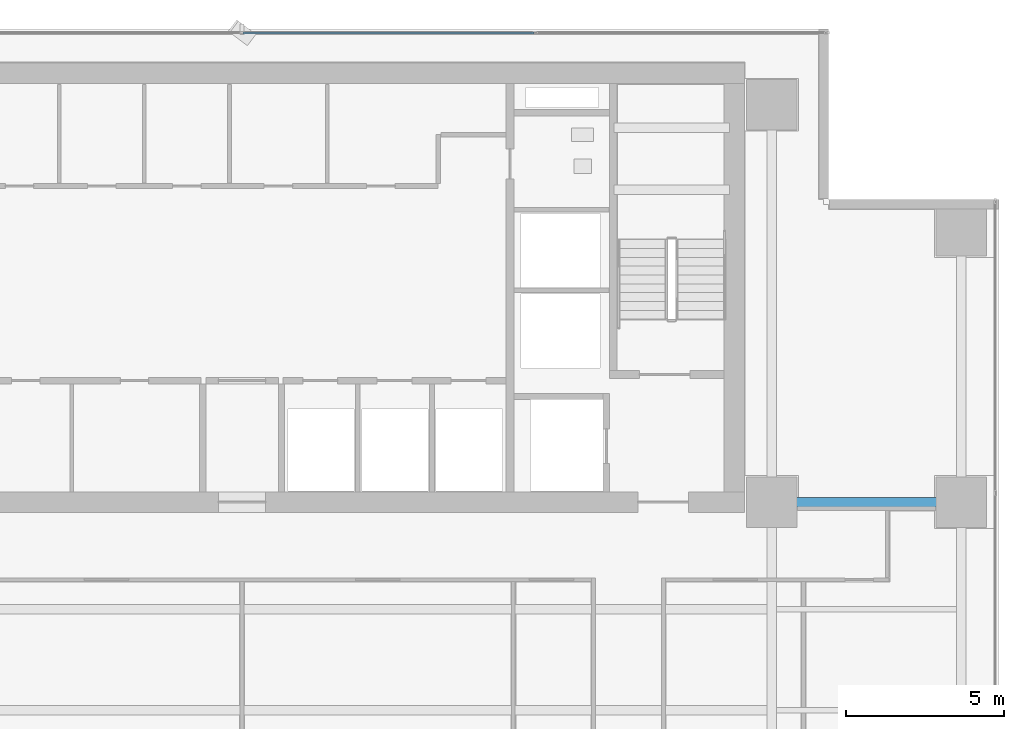
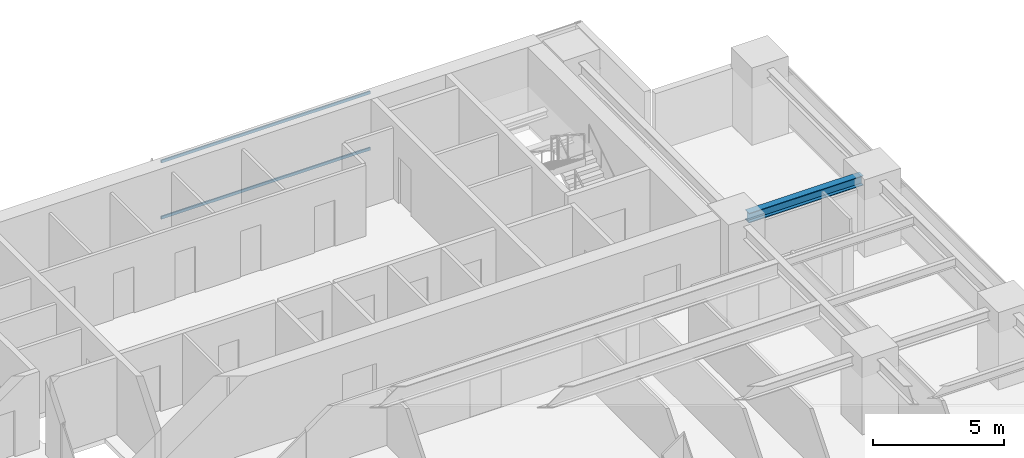
# One storey, part 17 of 28: 2 members, 1 beam, 1 element without a shape of its own.
"""IFC4 building model written with IfcOpenShell, lengths in metres."""

import ifcopenshell
import ifcopenshell.guid

model = None  # the IFC model being written
_history = None  # IfcOwnerHistory: only IFC2X3 demands one
_inside = {}  # id of a spatial element -> (the spatial element, [elements in it])
_under = {}  # id of a project, library or spatial element -> (it, [spatial elements below it])
_declared = {}  # id of a project -> (the project, [libraries it declares])
_typed = {}  # id of a type object -> (the type object, [elements of that type])
_made_of = {}  # id of a material, layer set ... -> (it, [elements and type objects made of it])


def new_model(schema):
    """Start an empty IFC model of exactly this schema.

    Asked for "IFC4X3", IfcOpenShell would pick the latest addendum, in which some entities
    have other attributes; the version numbers below select the first issue.
    IFC2X3 requires an IfcOwnerHistory on every rooted entity: one is made here for all.
    """
    global model, _history
    if schema == "IFC4X3":
        model = ifcopenshell.file(schema_version=(4, 3, 0, 0))
    else:
        model = ifcopenshell.file(schema=schema)
    _inside.clear()
    _under.clear()
    _declared.clear()
    _typed.clear()
    _made_of.clear()
    _history = None
    if model.schema == "IFC2X3":
        org = make("IfcOrganization", Name="unknown")
        user = make(
            "IfcPersonAndOrganization",
            ThePerson=make("IfcPerson", FamilyName="unknown"),
            TheOrganization=org,
        )
        app = make(
            "IfcApplication",
            ApplicationDeveloper=org,
            Version="unknown",
            ApplicationFullName="unknown",
            ApplicationIdentifier="unknown",
        )
        _history = make(
            "IfcOwnerHistory",
            OwningUser=user,
            OwningApplication=app,
            ChangeAction="ADDED",
            CreationDate=0,
        )
    return model


def make(cls, **values):
    """One entity of the class cls with the attributes given. An attribute that is None is left unset."""
    return model.create_entity(
        cls, **{name: value for name, value in values.items() if value is not None}
    )


def rooted(cls, **values):
    """An entity with a GlobalId (a new one), such as an element, a storey or a relation."""
    return make(cls, GlobalId=ifcopenshell.guid.new(), OwnerHistory=_history, **values)


def si_unit(unit_type, name, prefix=None):
    """IfcSIUnit, for example si_unit("LENGTHUNIT", "METRE", prefix="MILLI")."""
    return make("IfcSIUnit", UnitType=unit_type, Prefix=prefix, Name=name)


def assignment(units):
    """IfcUnitAssignment: the units of a project."""
    return None if units is None else make("IfcUnitAssignment", Units=units)


def point(xyz):
    """IfcCartesianPoint."""
    return None if xyz is None else make("IfcCartesianPoint", Coordinates=xyz)


def direction(xyz):
    """IfcDirection."""
    return None if xyz is None else make("IfcDirection", DirectionRatios=xyz)


def frame(location, z_axis=None, x_axis=None):
    """IfcAxis2Placement3D, a coordinate frame: its origin and axes. An axis left out is left unset."""
    return make(
        "IfcAxis2Placement3D",
        Location=point(location),
        Axis=direction(z_axis),
        RefDirection=direction(x_axis),
    )


def frame_2d(location, x_axis=None):
    """IfcAxis2Placement2D, a coordinate frame in the plane: its origin and x axis."""
    return make(
        "IfcAxis2Placement2D", Location=point(location), RefDirection=direction(x_axis)
    )


def origin():
    """The frame at (0, 0, 0) with its axes left unset."""
    return frame((0.0, 0.0, 0.0))


def origin_2d():
    """The frame at (0, 0) in the plane with its x axis left unset."""
    return frame_2d((0.0, 0.0))


def place(relative_to, where):
    """IfcLocalPlacement: puts the frame where relative to a parent placement (None: the world)."""
    return make(
        "IfcLocalPlacement", PlacementRelTo=relative_to, RelativePlacement=where
    )


def context(
    kind, dimensions, precision=None, world=None, true_north=None, identifier=None
):
    """IfcGeometricRepresentationContext, for example the 3D "Model" context."""
    return make(
        "IfcGeometricRepresentationContext",
        ContextIdentifier=identifier,
        ContextType=kind,
        CoordinateSpaceDimension=dimensions,
        Precision=precision,
        WorldCoordinateSystem=world,
        TrueNorth=true_north,
    )


def subcontext(parent, identifier, kind, view, scale=None):
    """IfcGeometricRepresentationSubContext, for example "Body" below "Model"."""
    return make(
        "IfcGeometricRepresentationSubContext",
        ContextIdentifier=identifier,
        ContextType=kind,
        ParentContext=parent,
        TargetScale=scale,
        TargetView=view,
    )


def project(units=None, contexts=None):
    """IfcProject with its units and contexts."""
    return rooted(
        "IfcProject",
        Name="project",
        RepresentationContexts=contexts,
        UnitsInContext=assignment(units),
    )


def spatial(cls, under=None, at=None, **own):
    """A site, building, storey or space (cls), placed at a placement, below another one or the project."""
    s = rooted(cls, ObjectPlacement=at, **own)
    if under is not None:
        _under.setdefault(under.id(), (under, []))[1].append(s)
    return s


def profile(cls, at=None, kind="AREA", **sizes):
    """A parametric profile (cls). Its sizes go by their IFC names, for example OverallWidth=200.0."""
    return make(cls, ProfileType=kind, Position=at, **sizes)


def hollow_rectangle(**sizes):
    """IfcRectangleHollowProfileDef."""
    return profile("IfcRectangleHollowProfileDef", **sizes)


def i_section(**sizes):
    """IfcIShapeProfileDef."""
    return profile("IfcIShapeProfileDef", **sizes)


def extrude(swept, where, along, depth):
    """IfcExtrudedAreaSolid: the profile swept, set in the frame where, extruded along a direction by depth."""
    return make(
        "IfcExtrudedAreaSolid",
        SweptArea=swept,
        Position=where,
        ExtrudedDirection=direction(along),
        Depth=depth,
    )


def shape(context_of_items, identifier, shape_type, items):
    """IfcShapeRepresentation: the items that make up one representation, for example the "Body"."""
    return make(
        "IfcShapeRepresentation",
        ContextOfItems=context_of_items,
        RepresentationIdentifier=identifier,
        RepresentationType=shape_type,
        Items=items,
    )


def source(mapping_origin, context_of_items, identifier, shape_type, items):
    """IfcRepresentationMap: a shape defined once, which mapped items show again and again."""
    return make(
        "IfcRepresentationMap",
        MappingOrigin=mapping_origin,
        MappedRepresentation=shape(context_of_items, identifier, shape_type, items),
    )


def transform(
    local_origin,
    x_axis=None,
    y_axis=None,
    z_axis=None,
    scale=None,
    scale2=None,
    scale3=None,
    uniform=True,
):
    """IfcCartesianTransformationOperator3D, or its non-uniform kind. x_axis, y_axis, z_axis: its Axis1, 2, 3."""
    if uniform:
        return make(
            "IfcCartesianTransformationOperator3D",
            Axis1=direction(x_axis),
            Axis2=direction(y_axis),
            LocalOrigin=point(local_origin),
            Scale=scale,
            Axis3=direction(z_axis),
        )
    return make(
        "IfcCartesianTransformationOperator3DnonUniform",
        Axis1=direction(x_axis),
        Axis2=direction(y_axis),
        LocalOrigin=point(local_origin),
        Scale=scale,
        Axis3=direction(z_axis),
        Scale2=scale2,
        Scale3=scale3,
    )


def mapped(mapping_source, mapping_target):
    """IfcMappedItem: shows the shape of a source again, moved by a transform."""
    return make(
        "IfcMappedItem", MappingSource=mapping_source, MappingTarget=mapping_target
    )


def material(Name=None, Category=None):
    """IfcMaterial."""
    return make("IfcMaterial", Name=Name, Category=Category)


def layer(
    of_material, thickness, ventilated=None, Name=None, Category=None, Priority=None
):
    """IfcMaterialLayer: one layer of a wall or slab, of a material (None: an air gap)."""
    return make(
        "IfcMaterialLayer",
        Material=of_material,
        LayerThickness=thickness,
        IsVentilated=ventilated,
        Name=Name,
        Category=Category,
        Priority=Priority,
    )


def layer_set(layers, Name=None):
    """IfcMaterialLayerSet."""
    return make("IfcMaterialLayerSet", MaterialLayers=layers, LayerSetName=Name)


def material_profile(
    of_material, cross_section, Name=None, Category=None, Priority=None
):
    """IfcMaterialProfile: a cross section and its material."""
    return make(
        "IfcMaterialProfile",
        Name=Name,
        Material=of_material,
        Profile=cross_section,
        Priority=Priority,
        Category=Category,
    )


def profile_set(profiles, Name=None, composite=None):
    """IfcMaterialProfileSet."""
    return make(
        "IfcMaterialProfileSet",
        Name=Name,
        MaterialProfiles=profiles,
        CompositeProfile=composite,
    )


def made_of(thing, what):
    """Note that an element or type object is made of a material, layer set ...; save() writes the relation."""
    if what is not None:
        _made_of.setdefault(what.id(), (what, []))[1].append(thing)
    return thing


def type_object(cls, material=None, **own):
    """A type object (cls), such as IfcWallType, which elements share."""
    return made_of(rooted(cls, **own), material)


def element(
    cls,
    number,
    at=None,
    inside=None,
    cuts=None,
    type_object=None,
    material=None,
    context=None,
    identifier="Body",
    shape_type=None,
    held_by="IfcProductDefinitionShape",
    body=None,
    shapes=None,
    **own,
):
    """One element of the class cls, such as IfcWall. Its Tag is "e" and its number.

    at: its placement. inside: the storey or other place that contains it. cuts: it is an
    opening in that element (IfcRelVoidsElement). A single representation is given by context,
    identifier, shape_type and body (its items); several are given by shapes. held_by: the class
    of the entity that holds the representations. save() writes the other relations.
    """
    e = rooted(cls, Tag="e%d" % number, ObjectPlacement=at, **own)
    if body is not None:
        shapes = [shape(context, identifier, shape_type, body)]
    if shapes is not None:
        e.Representation = make(held_by, Representations=shapes)
    if inside is not None:
        _inside.setdefault(inside.id(), (inside, []))[1].append(e)
    if cuts is not None:
        rooted(
            "IfcRelVoidsElement", RelatingBuildingElement=cuts, RelatedOpeningElement=e
        )
    if type_object is not None:
        _typed.setdefault(type_object.id(), (type_object, []))[1].append(e)
    return made_of(e, material)


def aggregate(whole, parts):
    """IfcRelAggregates: a whole, such as a stair, and the parts it consists of."""
    return rooted("IfcRelAggregates", RelatingObject=whole, RelatedObjects=parts)


def save(model, path):
    """Write the relations noted so far, then the file.

    IfcRelAggregates (storeys below a building ...), IfcRelContainedInSpatialStructure (elements
    in a storey), IfcRelDefinesByType, IfcRelAssociatesMaterial and IfcRelDeclares: one each for
    every whole, place, type object, material and project.
    """
    for whole, parts in _under.values():
        aggregate(whole, parts)
    for where, things in _inside.values():
        rooted(
            "IfcRelContainedInSpatialStructure",
            RelatedElements=things,
            RelatingStructure=where,
        )
    for kind, things in _typed.values():
        rooted("IfcRelDefinesByType", RelatedObjects=things, RelatingType=kind)
    for what, things in _made_of.values():
        rooted("IfcRelAssociatesMaterial", RelatedObjects=things, RelatingMaterial=what)
    for by, libraries in _declared.values():
        rooted("IfcRelDeclares", RelatingContext=by, RelatedDefinitions=libraries)
    model.write(path)


model = new_model("IFC4")

# Units and contexts
model_context = context("Model", 3, precision=1e-05, world=origin(), true_north=direction((0.0, 1.0)))
body_context = subcontext(model_context, "Body", "Model", "MODEL_VIEW")
ifc_project = project(units=[si_unit("LENGTHUNIT", "METRE"), si_unit("AREAUNIT", "SQUARE_METRE"), si_unit("VOLUMEUNIT", "CUBIC_METRE"), si_unit("PLANEANGLEUNIT", "RADIAN"), si_unit("MASSUNIT", "GRAM", prefix="KILO")], contexts=[model_context])

# Site, building, storey
site_placement = place(None, origin())
site = spatial("IfcSite", under=ifc_project, at=site_placement, CompositionType="ELEMENT")
building_placement = place(site_placement, origin())
building = spatial("IfcBuilding", under=site, at=building_placement, Name="Sumidabori Civic Tower", CompositionType="ELEMENT")
storey_placement = place(building_placement, frame((0.0, 0.0, 185.60009765625)))
storey = spatial("IfcBuildingStorey", under=building, at=storey_placement, Name="L48", CompositionType="ELEMENT", Elevation=185.60009765625)

# Beam
ifc_material_1 = material(Name="Steel SN490", Category="steel")
ifc_material_profile_1 = material_profile(ifc_material_1, i_section(OverallWidth=0.300048828125, OverallDepth=0.449951171875, WebThickness=0.013916015625, FlangeThickness=0.02587890625, at=origin_2d()), Name="HE 450 B")
ifc_profile_set_1 = profile_set([ifc_material_profile_1], Name="Steel SN490")
beam_type = type_object("IfcBeamType", Name="BM-GIRD-450", PredefinedType="BEAM", material=ifc_profile_set_1)
shared_shape_1 = source(origin(), body_context, "Body", "SweptSolid", [
    extrude(i_section(OverallWidth=0.300048828125, OverallDepth=0.449951171875, WebThickness=0.013916015625, FlangeThickness=0.02587890625, at=origin_2d()), origin(), (0.0, 0.0, 1.0), 5.0400390625),
])
beam_placement = place(storey_placement, frame((17.280029296875, 10.199951171875, 3.074951171875), z_axis=(1.0, 0.0, 0.0), x_axis=(0.0, 1.0, 0.0)))
element("IfcBeam", 1, at=beam_placement, inside=storey, type_object=beam_type, Name="Primary Girder L48 GX-18", PredefinedType="BEAM", context=body_context, shape_type="MappedRepresentation", body=[
    mapped(shared_shape_1, transform((0.0, 0.0, 0.0), x_axis=(1.0, 0.0, 0.0), y_axis=(0.0, 1.0, 0.0), z_axis=(0.0, 0.0, 1.0), scale=1.0)),
])

# Curtain wall, members
ifc_material_2 = material(Name="Anodised Bronze Aluminium AW-6063-T6", Category="aluminium")
ifc_layer = layer(ifc_material_2, 0.179931640625, Name="Anodised Bronze Aluminium AW-6063-T6")
ifc_layer_set = layer_set([ifc_layer], Name="Anodised Bronze Aluminium AW-6063-T6")
curtain_wall_type = type_object("IfcCurtainWallType", Name="CW-SYS-3", PredefinedType="NOTDEFINED", material=ifc_layer_set)
curtain_wall_placement = place(storey_placement, origin())
curtain_wall = element("IfcCurtainWall", 2, at=curtain_wall_placement, inside=storey, type_object=curtain_wall_type, Name="Curtain Wall CW:L48:R07", PredefinedType="NOTDEFINED")
ifc_material_profile_2 = material_profile(ifc_material_2, hollow_rectangle(XDim=0.06005859375, YDim=0.1298828125, WallThickness=0.0048828125, at=origin_2d()), Name="ALU TRANSOM 130x60")
ifc_profile_set_2 = profile_set([ifc_material_profile_2], Name="Anodised Bronze Aluminium AW-6063-T6")
member_type = type_object("IfcMemberType", Name="CW-TRN-130", PredefinedType="USERDEFINED", material=ifc_profile_set_2)
shared_shape_2 = source(origin(), body_context, "Body", "SweptSolid", [
    extrude(hollow_rectangle(XDim=0.06005859375, YDim=0.1298828125, WallThickness=0.0048828125, at=origin_2d()), origin(), (0.0, 0.0, 1.0), 9.219970703125),
])
member_1_placement = place(storey_placement, frame((9.25244140625, 25.080078125, 0.02978515625), z_axis=(-1.0, 0.0, 0.0), x_axis=(0.0, -1.0, 0.0)))
member_1 = element("IfcMember", 3, at=member_1_placement, type_object=member_type, Name="CW-3 transom 2.1", ObjectType="TRANSOM", PredefinedType="USERDEFINED", context=body_context, shape_type="MappedRepresentation", body=[
    mapped(shared_shape_2, transform((0.0, 0.0, 0.0), x_axis=(1.0, 0.0, 0.0), y_axis=(0.0, 1.0, 0.0), z_axis=(0.0, 0.0, 1.0), scale=1.0)),
])
member_2_placement = place(storey_placement, frame((9.25244140625, 25.080078125, 2.64990234375), z_axis=(-1.0, 0.0, 0.0), x_axis=(0.0, -1.0, 0.0)))
member_2 = element("IfcMember", 4, at=member_2_placement, type_object=member_type, Name="CW-3 transom 2.2", ObjectType="TRANSOM", PredefinedType="USERDEFINED", context=body_context, shape_type="MappedRepresentation", body=[
    mapped(shared_shape_2, transform((0.0, 0.0, 0.0), x_axis=(1.0, 0.0, 0.0), y_axis=(0.0, 1.0, 0.0), z_axis=(0.0, 0.0, 1.0), scale=1.0)),
])
aggregate(curtain_wall, [member_1, member_2])

save(model, "model.ifc")
